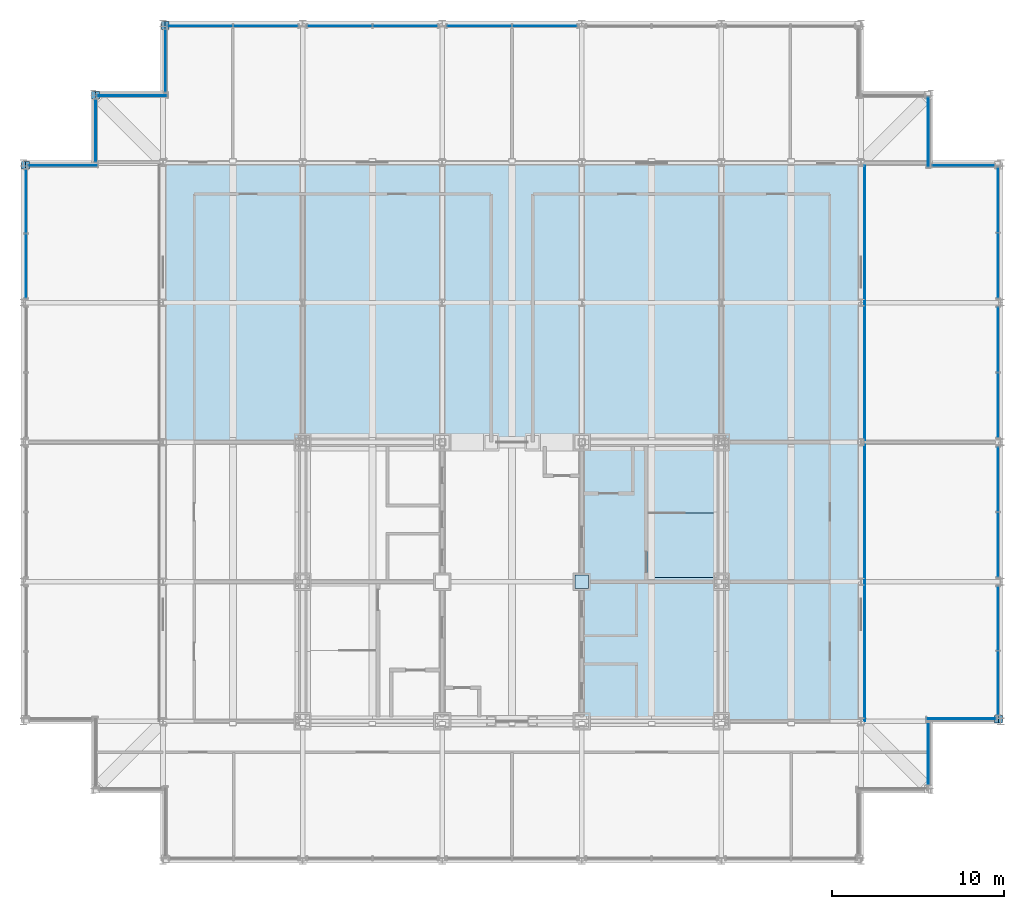
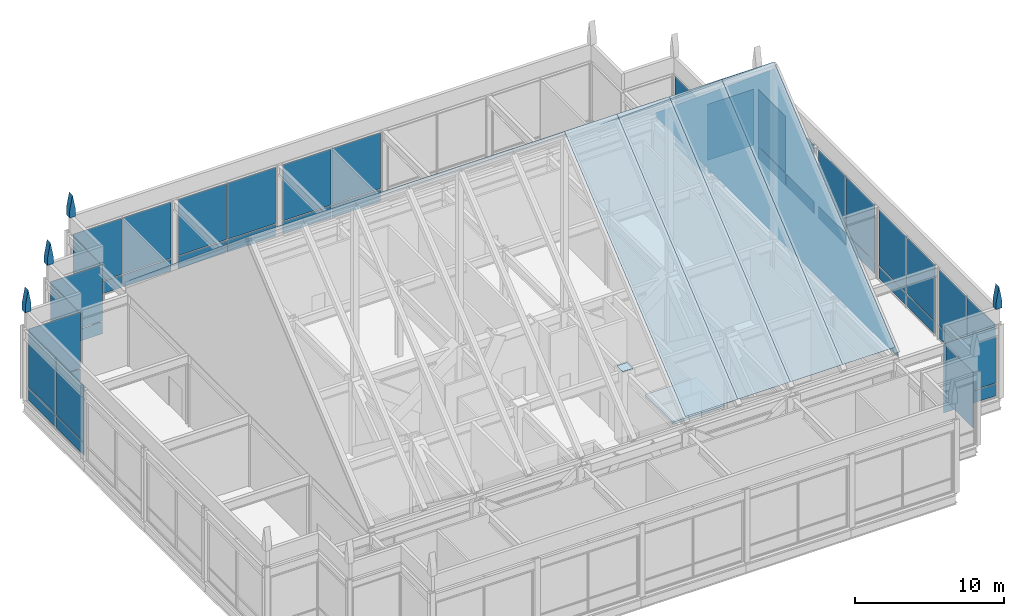
# One storey, part 15 of 22: 67 plates, 1 slab, 16 elements without a shape of their own.
"""IFC4 building model written with IfcOpenShell, lengths in metres."""

from ifc_helpers import new_model, si_unit, direction, frame, origin, origin_2d, place, context, subcontext, project, spatial, polyline, rectangle, outline, extrude, material, layer, layer_set, type_object, element, aggregate, save


model = new_model("IFC4")

# Units and contexts
model_context = context("Model", 3, precision=1e-05, world=origin(), true_north=direction((0.0, 1.0)))
body_context = subcontext(model_context, "Body", "Model", "MODEL_VIEW")
ifc_project = project(units=[si_unit("LENGTHUNIT", "METRE"), si_unit("AREAUNIT", "SQUARE_METRE"), si_unit("VOLUMEUNIT", "CUBIC_METRE"), si_unit("PLANEANGLEUNIT", "RADIAN"), si_unit("MASSUNIT", "GRAM", prefix="KILO")], contexts=[model_context])

# Site, building, storey
site_placement = place(None, origin())
site = spatial("IfcSite", under=ifc_project, at=site_placement, CompositionType="ELEMENT")
building_placement = place(site_placement, origin())
building = spatial("IfcBuilding", under=site, at=building_placement, Name="Kopane Lantern Tower", CompositionType="ELEMENT")
storey_placement = place(building_placement, frame((0.0, 0.0, 303.89990234375)))
storey = spatial("IfcBuildingStorey", under=building, at=storey_placement, Name="L77", CompositionType="ELEMENT", Elevation=303.89990234375)

# Curtain wall, plate
ifc_material_1 = material(Name="Aluminium and clear glass", Category="aluminium")
curtain_wall_type = type_object("IfcCurtainWallType", Name="CURTAIN WALL CW6 LANTERN CROWN", PredefinedType="USERDEFINED", material=ifc_material_1)
curtain_wall_1_placement = place(storey_placement, origin())
curtain_wall_1 = element("IfcCurtainWall", 1, at=curtain_wall_1_placement, inside=storey, type_object=curtain_wall_type, Name="Curtain wall CW6 E L77", ObjectType="CURTAIN WALL", PredefinedType="USERDEFINED")
ifc_material_2 = material(Name="Insulated clear glass unit", Category="glass")
ifc_layer_1 = layer(ifc_material_2, 0.0400390625)
ifc_layer_set_1 = layer_set([ifc_layer_1], Name="CURTAIN PANEL CW6-P 40")
plate_type_1 = type_object("IfcPlateType", Name="CURTAIN PANEL CW6-P 40", PredefinedType="CURTAIN_PANEL", material=ifc_layer_set_1)
plate_1_placement = place(storey_placement, frame((52.5, 22.425048828125, 1.14013671875), z_axis=(0.0, 0.0, 1.0), x_axis=(0.0, 1.0, 0.0)))
plate_1 = element("IfcPlate", 2, at=plate_1_placement, type_object=plate_type_1, Name="CW6 panel 1.2", PredefinedType="CURTAIN_PANEL", context=body_context, shape_type="SweptSolid", body=[
    extrude(rectangle(XDim=3.590087890625, YDim=0.0400390625, at=origin_2d()), origin(), (0.0, 0.0, 1.0), 4.580078125),
])
aggregate(curtain_wall_1, [plate_1])

# Curtain wall, plates
curtain_wall_2_placement = place(storey_placement, origin())
curtain_wall_2 = element("IfcCurtainWall", 3, at=curtain_wall_2_placement, inside=storey, type_object=curtain_wall_type, Name="Curtain wall CW6 S L77", ObjectType="CURTAIN WALL", PredefinedType="USERDEFINED")
plate_2_placement = place(storey_placement, frame((54.4228515625, 24.449951171875, 0.080078125), z_axis=(0.0, 0.0, 1.0), x_axis=(1.0, 0.0, 0.0)))
plate_2 = element("IfcPlate", 4, at=plate_2_placement, type_object=plate_type_1, Name="CW6 panel 1.1", PredefinedType="CURTAIN_PANEL", context=body_context, shape_type="SweptSolid", body=[
    extrude(rectangle(XDim=3.985595703125, YDim=0.0400390625, at=origin_2d()), origin(), (0.0, 0.0, 1.0), 0.97998046875),
])
plate_3_placement = place(storey_placement, frame((54.4228515625, 24.449951171875, 1.14013671875), z_axis=(0.0, 0.0, 1.0), x_axis=(1.0, 0.0, 0.0)))
plate_3 = element("IfcPlate", 5, at=plate_3_placement, type_object=plate_type_1, Name="CW6 panel 1.2", PredefinedType="CURTAIN_PANEL", context=body_context, shape_type="SweptSolid", body=[
    extrude(rectangle(XDim=3.985595703125, YDim=0.0400390625, at=origin_2d()), origin(), (0.0, 0.0, 1.0), 4.580078125),
])
aggregate(curtain_wall_2, [plate_2, plate_3])

curtain_wall_3_placement = place(storey_placement, origin())
curtain_wall_3 = element("IfcCurtainWall", 6, at=curtain_wall_3_placement, inside=storey, type_object=curtain_wall_type, Name="Curtain wall CW6 E L77", ObjectType="CURTAIN WALL", PredefinedType="USERDEFINED")
plate_4_placement = place(storey_placement, frame((56.550048828125, 26.51953125, 0.080078125), z_axis=(0.0, 0.0, 1.0), x_axis=(0.0, 1.0, 0.0)))
plate_4 = element("IfcPlate", 7, at=plate_4_placement, type_object=plate_type_1, Name="CW6 panel 1.1", PredefinedType="CURTAIN_PANEL", context=body_context, shape_type="SweptSolid", body=[
    extrude(rectangle(XDim=3.67919921875, YDim=0.0400390625, at=origin_2d()), origin(), (0.0, 0.0, 1.0), 0.97998046875),
])
plate_5_placement = place(storey_placement, frame((56.550048828125, 26.51953125, 1.14013671875), z_axis=(0.0, 0.0, 1.0), x_axis=(0.0, 1.0, 0.0)))
plate_5 = element("IfcPlate", 8, at=plate_5_placement, type_object=plate_type_1, Name="CW6 panel 1.2", PredefinedType="CURTAIN_PANEL", context=body_context, shape_type="SweptSolid", body=[
    extrude(rectangle(XDim=3.67919921875, YDim=0.0400390625, at=origin_2d()), origin(), (0.0, 0.0, 1.0), 4.580078125),
])
plate_6_placement = place(storey_placement, frame((56.550048828125, 30.278564453125, 0.080078125), z_axis=(0.0, 0.0, 1.0), x_axis=(0.0, 1.0, 0.0)))
plate_6 = element("IfcPlate", 9, at=plate_6_placement, type_object=plate_type_1, Name="CW6 panel 2.1", PredefinedType="CURTAIN_PANEL", context=body_context, shape_type="SweptSolid", body=[
    extrude(rectangle(XDim=3.67919921875, YDim=0.0400390625, at=origin_2d()), origin(), (0.0, 0.0, 1.0), 0.97998046875),
])
plate_7_placement = place(storey_placement, frame((56.550048828125, 30.278564453125, 1.14013671875), z_axis=(0.0, 0.0, 1.0), x_axis=(0.0, 1.0, 0.0)))
plate_7 = element("IfcPlate", 10, at=plate_7_placement, type_object=plate_type_1, Name="CW6 panel 2.2", PredefinedType="CURTAIN_PANEL", context=body_context, shape_type="SweptSolid", body=[
    extrude(rectangle(XDim=3.67919921875, YDim=0.0400390625, at=origin_2d()), origin(), (0.0, 0.0, 1.0), 4.580078125),
])
aggregate(curtain_wall_3, [plate_4, plate_5, plate_6, plate_7])

curtain_wall_4_placement = place(storey_placement, origin())
curtain_wall_4 = element("IfcCurtainWall", 11, at=curtain_wall_4_placement, inside=storey, type_object=curtain_wall_type, Name="Curtain wall CW6 E L77", ObjectType="CURTAIN WALL", PredefinedType="USERDEFINED")
plate_8_placement = place(storey_placement, frame((56.550048828125, 34.5458984375, 0.080078125), z_axis=(0.0, 0.0, 1.0), x_axis=(0.0, 1.0, 0.0)))
plate_8 = element("IfcPlate", 12, at=plate_8_placement, type_object=plate_type_1, Name="CW6 panel 1.1", PredefinedType="CURTAIN_PANEL", context=body_context, shape_type="SweptSolid", body=[
    extrude(rectangle(XDim=3.728271484375, YDim=0.0400390625, at=origin_2d()), origin(), (0.0, 0.0, 1.0), 0.97998046875),
])
plate_9_placement = place(storey_placement, frame((56.550048828125, 34.5458984375, 1.14013671875), z_axis=(0.0, 0.0, 1.0), x_axis=(0.0, 1.0, 0.0)))
plate_9 = element("IfcPlate", 13, at=plate_9_placement, type_object=plate_type_1, Name="CW6 panel 1.2", PredefinedType="CURTAIN_PANEL", context=body_context, shape_type="SweptSolid", body=[
    extrude(rectangle(XDim=3.728271484375, YDim=0.0400390625, at=origin_2d()), origin(), (0.0, 0.0, 1.0), 4.580078125),
])
plate_10_placement = place(storey_placement, frame((56.550048828125, 38.35400390625, 0.080078125), z_axis=(0.0, 0.0, 1.0), x_axis=(0.0, 1.0, 0.0)))
plate_10 = element("IfcPlate", 14, at=plate_10_placement, type_object=plate_type_1, Name="CW6 panel 2.1", PredefinedType="CURTAIN_PANEL", context=body_context, shape_type="SweptSolid", body=[
    extrude(rectangle(XDim=3.728271484375, YDim=0.0400390625, at=origin_2d()), origin(), (0.0, 0.0, 1.0), 0.97998046875),
])
plate_11_placement = place(storey_placement, frame((56.550048828125, 38.35400390625, 1.14013671875), z_axis=(0.0, 0.0, 1.0), x_axis=(0.0, 1.0, 0.0)))
plate_11 = element("IfcPlate", 15, at=plate_11_placement, type_object=plate_type_1, Name="CW6 panel 2.2", PredefinedType="CURTAIN_PANEL", context=body_context, shape_type="SweptSolid", body=[
    extrude(rectangle(XDim=3.728271484375, YDim=0.0400390625, at=origin_2d()), origin(), (0.0, 0.0, 1.0), 4.580078125),
])
aggregate(curtain_wall_4, [plate_8, plate_9, plate_10, plate_11])

curtain_wall_5_placement = place(storey_placement, origin())
curtain_wall_5 = element("IfcCurtainWall", 16, at=curtain_wall_5_placement, inside=storey, type_object=curtain_wall_type, Name="Curtain wall CW6 E L77", ObjectType="CURTAIN WALL", PredefinedType="USERDEFINED")
plate_12_placement = place(storey_placement, frame((56.550048828125, 42.64599609375, 0.080078125), z_axis=(0.0, 0.0, 1.0), x_axis=(0.0, 1.0, 0.0)))
plate_12 = element("IfcPlate", 17, at=plate_12_placement, type_object=plate_type_1, Name="CW6 panel 1.1", PredefinedType="CURTAIN_PANEL", context=body_context, shape_type="SweptSolid", body=[
    extrude(rectangle(XDim=3.728271484375, YDim=0.0400390625, at=origin_2d()), origin(), (0.0, 0.0, 1.0), 0.97998046875),
])
plate_13_placement = place(storey_placement, frame((56.550048828125, 42.64599609375, 1.14013671875), z_axis=(0.0, 0.0, 1.0), x_axis=(0.0, 1.0, 0.0)))
plate_13 = element("IfcPlate", 18, at=plate_13_placement, type_object=plate_type_1, Name="CW6 panel 1.2", PredefinedType="CURTAIN_PANEL", context=body_context, shape_type="SweptSolid", body=[
    extrude(rectangle(XDim=3.728271484375, YDim=0.0400390625, at=origin_2d()), origin(), (0.0, 0.0, 1.0), 4.580078125),
])
plate_14_placement = place(storey_placement, frame((56.550048828125, 46.4541015625, 0.080078125), z_axis=(0.0, 0.0, 1.0), x_axis=(0.0, 1.0, 0.0)))
plate_14 = element("IfcPlate", 19, at=plate_14_placement, type_object=plate_type_1, Name="CW6 panel 2.1", PredefinedType="CURTAIN_PANEL", context=body_context, shape_type="SweptSolid", body=[
    extrude(rectangle(XDim=3.728271484375, YDim=0.0400390625, at=origin_2d()), origin(), (0.0, 0.0, 1.0), 0.97998046875),
])
plate_15_placement = place(storey_placement, frame((56.550048828125, 46.4541015625, 1.14013671875), z_axis=(0.0, 0.0, 1.0), x_axis=(0.0, 1.0, 0.0)))
plate_15 = element("IfcPlate", 20, at=plate_15_placement, type_object=plate_type_1, Name="CW6 panel 2.2", PredefinedType="CURTAIN_PANEL", context=body_context, shape_type="SweptSolid", body=[
    extrude(rectangle(XDim=3.728271484375, YDim=0.0400390625, at=origin_2d()), origin(), (0.0, 0.0, 1.0), 4.580078125),
])
aggregate(curtain_wall_5, [plate_12, plate_13, plate_14, plate_15])

curtain_wall_6_placement = place(storey_placement, origin())
curtain_wall_6 = element("IfcCurtainWall", 21, at=curtain_wall_6_placement, inside=storey, type_object=curtain_wall_type, Name="Curtain wall CW6 E L77", ObjectType="CURTAIN WALL", PredefinedType="USERDEFINED")
plate_16_placement = place(storey_placement, frame((56.550048828125, 50.745849609375, 0.080078125), z_axis=(0.0, 0.0, 1.0), x_axis=(0.0, 1.0, 0.0)))
plate_16 = element("IfcPlate", 22, at=plate_16_placement, type_object=plate_type_1, Name="CW6 panel 1.1", PredefinedType="CURTAIN_PANEL", context=body_context, shape_type="SweptSolid", body=[
    extrude(rectangle(XDim=3.728271484375, YDim=0.0400390625, at=origin_2d()), origin(), (0.0, 0.0, 1.0), 0.97998046875),
])
plate_17_placement = place(storey_placement, frame((56.550048828125, 50.745849609375, 1.14013671875), z_axis=(0.0, 0.0, 1.0), x_axis=(0.0, 1.0, 0.0)))
plate_17 = element("IfcPlate", 23, at=plate_17_placement, type_object=plate_type_1, Name="CW6 panel 1.2", PredefinedType="CURTAIN_PANEL", context=body_context, shape_type="SweptSolid", body=[
    extrude(rectangle(XDim=3.728271484375, YDim=0.0400390625, at=origin_2d()), origin(), (0.0, 0.0, 1.0), 4.580078125),
])
plate_18_placement = place(storey_placement, frame((56.550048828125, 54.55419921875, 0.080078125), z_axis=(0.0, 0.0, 1.0), x_axis=(0.0, 1.0, 0.0)))
plate_18 = element("IfcPlate", 24, at=plate_18_placement, type_object=plate_type_1, Name="CW6 panel 2.1", PredefinedType="CURTAIN_PANEL", context=body_context, shape_type="SweptSolid", body=[
    extrude(rectangle(XDim=3.728271484375, YDim=0.0400390625, at=origin_2d()), origin(), (0.0, 0.0, 1.0), 0.97998046875),
])
plate_19_placement = place(storey_placement, frame((56.550048828125, 54.55419921875, 1.14013671875), z_axis=(0.0, 0.0, 1.0), x_axis=(0.0, 1.0, 0.0)))
plate_19 = element("IfcPlate", 25, at=plate_19_placement, type_object=plate_type_1, Name="CW6 panel 2.2", PredefinedType="CURTAIN_PANEL", context=body_context, shape_type="SweptSolid", body=[
    extrude(rectangle(XDim=3.728271484375, YDim=0.0400390625, at=origin_2d()), origin(), (0.0, 0.0, 1.0), 4.580078125),
])
aggregate(curtain_wall_6, [plate_16, plate_17, plate_18, plate_19])

curtain_wall_7_placement = place(storey_placement, origin())
curtain_wall_7 = element("IfcCurtainWall", 26, at=curtain_wall_7_placement, inside=storey, type_object=curtain_wall_type, Name="Curtain wall CW6 N L77", ObjectType="CURTAIN WALL", PredefinedType="USERDEFINED")
plate_20_placement = place(storey_placement, frame((54.52490234375, 56.550048828125, 0.080078125), z_axis=(0.0, 0.0, 1.0), x_axis=(-1.0, 0.0, 0.0)))
plate_20 = element("IfcPlate", 27, at=plate_20_placement, type_object=plate_type_1, Name="CW6 panel 1.1", PredefinedType="CURTAIN_PANEL", context=body_context, shape_type="SweptSolid", body=[
    extrude(rectangle(XDim=3.590087890625, YDim=0.0400390625, at=origin_2d()), origin(), (0.0, 0.0, 1.0), 0.97998046875),
])
plate_21_placement = place(storey_placement, frame((54.52490234375, 56.550048828125, 1.14013671875), z_axis=(0.0, 0.0, 1.0), x_axis=(-1.0, 0.0, 0.0)))
plate_21 = element("IfcPlate", 28, at=plate_21_placement, type_object=plate_type_1, Name="CW6 panel 1.2", PredefinedType="CURTAIN_PANEL", context=body_context, shape_type="SweptSolid", body=[
    extrude(rectangle(XDim=3.590087890625, YDim=0.0400390625, at=origin_2d()), origin(), (0.0, 0.0, 1.0), 4.580078125),
])
aggregate(curtain_wall_7, [plate_20, plate_21])

curtain_wall_8_placement = place(storey_placement, origin())
curtain_wall_8 = element("IfcCurtainWall", 29, at=curtain_wall_8_placement, inside=storey, type_object=curtain_wall_type, Name="Curtain wall CW6 E L77", ObjectType="CURTAIN WALL", PredefinedType="USERDEFINED")
plate_22_placement = place(storey_placement, frame((52.5, 58.493896484375, 0.080078125), z_axis=(0.0, 0.0, 1.0), x_axis=(0.0, 1.0, 0.0)))
plate_22 = element("IfcPlate", 30, at=plate_22_placement, type_object=plate_type_1, Name="CW6 panel 1.1", PredefinedType="CURTAIN_PANEL", context=body_context, shape_type="SweptSolid", body=[
    extrude(rectangle(XDim=4.027587890625, YDim=0.0400390625, at=origin_2d()), origin(), (0.0, 0.0, 1.0), 0.97998046875),
])
plate_23_placement = place(storey_placement, frame((52.5, 58.493896484375, 1.14013671875), z_axis=(0.0, 0.0, 1.0), x_axis=(0.0, 1.0, 0.0)))
plate_23 = element("IfcPlate", 31, at=plate_23_placement, type_object=plate_type_1, Name="CW6 panel 1.2", PredefinedType="CURTAIN_PANEL", context=body_context, shape_type="SweptSolid", body=[
    extrude(rectangle(XDim=4.027587890625, YDim=0.0400390625, at=origin_2d()), origin(), (0.0, 0.0, 1.0), 4.580078125),
])
aggregate(curtain_wall_8, [plate_22, plate_23])

curtain_wall_9_placement = place(storey_placement, origin())
curtain_wall_9 = element("IfcCurtainWall", 32, at=curtain_wall_9_placement, inside=storey, type_object=curtain_wall_type, Name="Curtain wall CW6 N L77", ObjectType="CURTAIN WALL", PredefinedType="USERDEFINED")
plate_24_placement = place(storey_placement, frame((30.252685546875, 64.64990234375, 0.080078125), z_axis=(0.0, 0.0, 1.0), x_axis=(-1.0, 0.0, 0.0)))
plate_24 = element("IfcPlate", 33, at=plate_24_placement, type_object=plate_type_1, Name="CW6 panel 1.1", PredefinedType="CURTAIN_PANEL", context=body_context, shape_type="SweptSolid", body=[
    extrude(rectangle(XDim=3.7255859375, YDim=0.0400390625, at=origin_2d()), origin(), (0.0, 0.0, 1.0), 0.97998046875),
])
plate_25_placement = place(storey_placement, frame((30.252685546875, 64.64990234375, 1.14013671875), z_axis=(0.0, 0.0, 1.0), x_axis=(-1.0, 0.0, 0.0)))
plate_25 = element("IfcPlate", 34, at=plate_25_placement, type_object=plate_type_1, Name="CW6 panel 1.2", PredefinedType="CURTAIN_PANEL", context=body_context, shape_type="SweptSolid", body=[
    extrude(rectangle(XDim=3.7255859375, YDim=0.0400390625, at=origin_2d()), origin(), (0.0, 0.0, 1.0), 4.580078125),
])
plate_26_placement = place(storey_placement, frame((26.447265625, 64.64990234375, 0.080078125), z_axis=(0.0, 0.0, 1.0), x_axis=(-1.0, 0.0, 0.0)))
plate_26 = element("IfcPlate", 35, at=plate_26_placement, type_object=plate_type_1, Name="CW6 panel 2.1", PredefinedType="CURTAIN_PANEL", context=body_context, shape_type="SweptSolid", body=[
    extrude(rectangle(XDim=3.7255859375, YDim=0.0400390625, at=origin_2d()), origin(), (0.0, 0.0, 1.0), 0.97998046875),
])
plate_27_placement = place(storey_placement, frame((26.447265625, 64.64990234375, 1.14013671875), z_axis=(0.0, 0.0, 1.0), x_axis=(-1.0, 0.0, 0.0)))
plate_27 = element("IfcPlate", 36, at=plate_27_placement, type_object=plate_type_1, Name="CW6 panel 2.2", PredefinedType="CURTAIN_PANEL", context=body_context, shape_type="SweptSolid", body=[
    extrude(rectangle(XDim=3.7255859375, YDim=0.0400390625, at=origin_2d()), origin(), (0.0, 0.0, 1.0), 4.580078125),
])
aggregate(curtain_wall_9, [plate_24, plate_25, plate_26, plate_27])

curtain_wall_10_placement = place(storey_placement, origin())
curtain_wall_10 = element("IfcCurtainWall", 37, at=curtain_wall_10_placement, inside=storey, type_object=curtain_wall_type, Name="Curtain wall CW6 N L77", ObjectType="CURTAIN WALL", PredefinedType="USERDEFINED")
plate_28_placement = place(storey_placement, frame((22.15283203125, 64.64990234375, 0.080078125), z_axis=(0.0, 0.0, 1.0), x_axis=(-1.0, 0.0, 0.0)))
plate_28 = element("IfcPlate", 38, at=plate_28_placement, type_object=plate_type_1, Name="CW6 panel 1.1", PredefinedType="CURTAIN_PANEL", context=body_context, shape_type="SweptSolid", body=[
    extrude(rectangle(XDim=3.7255859375, YDim=0.0400390625, at=origin_2d()), origin(), (0.0, 0.0, 1.0), 0.97998046875),
])
plate_29_placement = place(storey_placement, frame((22.15283203125, 64.64990234375, 1.14013671875), z_axis=(0.0, 0.0, 1.0), x_axis=(-1.0, 0.0, 0.0)))
plate_29 = element("IfcPlate", 39, at=plate_29_placement, type_object=plate_type_1, Name="CW6 panel 1.2", PredefinedType="CURTAIN_PANEL", context=body_context, shape_type="SweptSolid", body=[
    extrude(rectangle(XDim=3.7255859375, YDim=0.0400390625, at=origin_2d()), origin(), (0.0, 0.0, 1.0), 4.580078125),
])
plate_30_placement = place(storey_placement, frame((18.34716796875, 64.64990234375, 0.080078125), z_axis=(0.0, 0.0, 1.0), x_axis=(-1.0, 0.0, 0.0)))
plate_30 = element("IfcPlate", 40, at=plate_30_placement, type_object=plate_type_1, Name="CW6 panel 2.1", PredefinedType="CURTAIN_PANEL", context=body_context, shape_type="SweptSolid", body=[
    extrude(rectangle(XDim=3.7255859375, YDim=0.0400390625, at=origin_2d()), origin(), (0.0, 0.0, 1.0), 0.97998046875),
])
plate_31_placement = place(storey_placement, frame((18.34716796875, 64.64990234375, 1.14013671875), z_axis=(0.0, 0.0, 1.0), x_axis=(-1.0, 0.0, 0.0)))
plate_31 = element("IfcPlate", 41, at=plate_31_placement, type_object=plate_type_1, Name="CW6 panel 2.2", PredefinedType="CURTAIN_PANEL", context=body_context, shape_type="SweptSolid", body=[
    extrude(rectangle(XDim=3.7255859375, YDim=0.0400390625, at=origin_2d()), origin(), (0.0, 0.0, 1.0), 4.580078125),
])
aggregate(curtain_wall_10, [plate_28, plate_29, plate_30, plate_31])

curtain_wall_11_placement = place(storey_placement, origin())
curtain_wall_11 = element("IfcCurtainWall", 42, at=curtain_wall_11_placement, inside=storey, type_object=curtain_wall_type, Name="Curtain wall CW6 N L77", ObjectType="CURTAIN WALL", PredefinedType="USERDEFINED")
plate_32_placement = place(storey_placement, frame((14.052734375, 64.64990234375, 0.080078125), z_axis=(0.0, 0.0, 1.0), x_axis=(-1.0, 0.0, 0.0)))
plate_32 = element("IfcPlate", 43, at=plate_32_placement, type_object=plate_type_1, Name="CW6 panel 1.1", PredefinedType="CURTAIN_PANEL", context=body_context, shape_type="SweptSolid", body=[
    extrude(rectangle(XDim=3.7255859375, YDim=0.0400390625, at=origin_2d()), origin(), (0.0, 0.0, 1.0), 0.97998046875),
])
plate_33_placement = place(storey_placement, frame((14.052734375, 64.64990234375, 1.14013671875), z_axis=(0.0, 0.0, 1.0), x_axis=(-1.0, 0.0, 0.0)))
plate_33 = element("IfcPlate", 44, at=plate_33_placement, type_object=plate_type_1, Name="CW6 panel 1.2", PredefinedType="CURTAIN_PANEL", context=body_context, shape_type="SweptSolid", body=[
    extrude(rectangle(XDim=3.7255859375, YDim=0.0400390625, at=origin_2d()), origin(), (0.0, 0.0, 1.0), 4.580078125),
])
plate_34_placement = place(storey_placement, frame((10.247314453125, 64.64990234375, 0.080078125), z_axis=(0.0, 0.0, 1.0), x_axis=(-1.0, 0.0, 0.0)))
plate_34 = element("IfcPlate", 45, at=plate_34_placement, type_object=plate_type_1, Name="CW6 panel 2.1", PredefinedType="CURTAIN_PANEL", context=body_context, shape_type="SweptSolid", body=[
    extrude(rectangle(XDim=3.7255859375, YDim=0.0400390625, at=origin_2d()), origin(), (0.0, 0.0, 1.0), 0.97998046875),
])
plate_35_placement = place(storey_placement, frame((10.247314453125, 64.64990234375, 1.14013671875), z_axis=(0.0, 0.0, 1.0), x_axis=(-1.0, 0.0, 0.0)))
plate_35 = element("IfcPlate", 46, at=plate_35_placement, type_object=plate_type_1, Name="CW6 panel 2.2", PredefinedType="CURTAIN_PANEL", context=body_context, shape_type="SweptSolid", body=[
    extrude(rectangle(XDim=3.7255859375, YDim=0.0400390625, at=origin_2d()), origin(), (0.0, 0.0, 1.0), 4.580078125),
])
aggregate(curtain_wall_11, [plate_32, plate_33, plate_34, plate_35])

curtain_wall_12_placement = place(storey_placement, origin())
curtain_wall_12 = element("IfcCurtainWall", 47, at=curtain_wall_12_placement, inside=storey, type_object=curtain_wall_type, Name="Curtain wall CW6 W L77", ObjectType="CURTAIN WALL", PredefinedType="USERDEFINED")
plate_36_placement = place(storey_placement, frame((8.25, 62.625, 0.080078125), z_axis=(0.0, 0.0, 1.0), x_axis=(0.0, -1.0, 0.0)))
plate_36 = element("IfcPlate", 48, at=plate_36_placement, type_object=plate_type_1, Name="CW6 panel 1.1", PredefinedType="CURTAIN_PANEL", context=body_context, shape_type="SweptSolid", body=[
    extrude(rectangle(XDim=3.590087890625, YDim=0.0400390625, at=origin_2d()), origin(), (0.0, 0.0, 1.0), 0.97998046875),
])
plate_37_placement = place(storey_placement, frame((8.25, 62.625, 1.14013671875), z_axis=(0.0, 0.0, 1.0), x_axis=(0.0, -1.0, 0.0)))
plate_37 = element("IfcPlate", 49, at=plate_37_placement, type_object=plate_type_1, Name="CW6 panel 1.2", PredefinedType="CURTAIN_PANEL", context=body_context, shape_type="SweptSolid", body=[
    extrude(rectangle(XDim=3.590087890625, YDim=0.0400390625, at=origin_2d()), origin(), (0.0, 0.0, 1.0), 4.580078125),
])
aggregate(curtain_wall_12, [plate_36, plate_37])

curtain_wall_13_placement = place(storey_placement, origin())
curtain_wall_13 = element("IfcCurtainWall", 50, at=curtain_wall_13_placement, inside=storey, type_object=curtain_wall_type, Name="Curtain wall CW6 N L77", ObjectType="CURTAIN WALL", PredefinedType="USERDEFINED")
plate_38_placement = place(storey_placement, frame((6.304443359375, 60.60009765625, 0.080078125), z_axis=(0.0, 0.0, 1.0), x_axis=(-1.0, 0.0, 0.0)))
plate_38 = element("IfcPlate", 51, at=plate_38_placement, type_object=plate_type_1, Name="CW6 panel 1.1", PredefinedType="CURTAIN_PANEL", context=body_context, shape_type="SweptSolid", body=[
    extrude(rectangle(XDim=4.03125, YDim=0.0400390625, at=origin_2d()), origin(), (0.0, 0.0, 1.0), 0.97998046875),
])
plate_39_placement = place(storey_placement, frame((6.304443359375, 60.60009765625, 1.14013671875), z_axis=(0.0, 0.0, 1.0), x_axis=(-1.0, 0.0, 0.0)))
plate_39 = element("IfcPlate", 52, at=plate_39_placement, type_object=plate_type_1, Name="CW6 panel 1.2", PredefinedType="CURTAIN_PANEL", context=body_context, shape_type="SweptSolid", body=[
    extrude(rectangle(XDim=4.03125, YDim=0.0400390625, at=origin_2d()), origin(), (0.0, 0.0, 1.0), 4.580078125),
])
aggregate(curtain_wall_13, [plate_38, plate_39])

curtain_wall_14_placement = place(storey_placement, origin())
curtain_wall_14 = element("IfcCurtainWall", 53, at=curtain_wall_14_placement, inside=storey, type_object=curtain_wall_type, Name="Curtain wall CW6 W L77", ObjectType="CURTAIN WALL", PredefinedType="USERDEFINED")
plate_40_placement = place(storey_placement, frame((4.199951171875, 58.574951171875, 0.080078125), z_axis=(0.0, 0.0, 1.0), x_axis=(0.0, -1.0, 0.0)))
plate_40 = element("IfcPlate", 54, at=plate_40_placement, type_object=plate_type_1, Name="CW6 panel 1.1", PredefinedType="CURTAIN_PANEL", context=body_context, shape_type="SweptSolid", body=[
    extrude(rectangle(XDim=3.590087890625, YDim=0.0400390625, at=origin_2d()), origin(), (0.0, 0.0, 1.0), 0.97998046875),
])
plate_41_placement = place(storey_placement, frame((4.199951171875, 58.574951171875, 1.14013671875), z_axis=(0.0, 0.0, 1.0), x_axis=(0.0, -1.0, 0.0)))
plate_41 = element("IfcPlate", 55, at=plate_41_placement, type_object=plate_type_1, Name="CW6 panel 1.2", PredefinedType="CURTAIN_PANEL", context=body_context, shape_type="SweptSolid", body=[
    extrude(rectangle(XDim=3.590087890625, YDim=0.0400390625, at=origin_2d()), origin(), (0.0, 0.0, 1.0), 4.580078125),
])
aggregate(curtain_wall_14, [plate_40, plate_41])

curtain_wall_15_placement = place(storey_placement, origin())
curtain_wall_15 = element("IfcCurtainWall", 56, at=curtain_wall_15_placement, inside=storey, type_object=curtain_wall_type, Name="Curtain wall CW6 N L77", ObjectType="CURTAIN WALL", PredefinedType="USERDEFINED")
plate_42_placement = place(storey_placement, frame((2.27734375, 56.550048828125, 0.080078125), z_axis=(0.0, 0.0, 1.0), x_axis=(-1.0, 0.0, 0.0)))
plate_42 = element("IfcPlate", 57, at=plate_42_placement, type_object=plate_type_1, Name="CW6 panel 1.1", PredefinedType="CURTAIN_PANEL", context=body_context, shape_type="SweptSolid", body=[
    extrude(rectangle(XDim=3.985595703125, YDim=0.0400390625, at=origin_2d()), origin(), (0.0, 0.0, 1.0), 0.97998046875),
])
plate_43_placement = place(storey_placement, frame((2.27734375, 56.550048828125, 1.14013671875), z_axis=(0.0, 0.0, 1.0), x_axis=(-1.0, 0.0, 0.0)))
plate_43 = element("IfcPlate", 58, at=plate_43_placement, type_object=plate_type_1, Name="CW6 panel 1.2", PredefinedType="CURTAIN_PANEL", context=body_context, shape_type="SweptSolid", body=[
    extrude(rectangle(XDim=3.985595703125, YDim=0.0400390625, at=origin_2d()), origin(), (0.0, 0.0, 1.0), 4.580078125),
])
aggregate(curtain_wall_15, [plate_42, plate_43])

curtain_wall_16_placement = place(storey_placement, origin())
curtain_wall_16 = element("IfcCurtainWall", 59, at=curtain_wall_16_placement, inside=storey, type_object=curtain_wall_type, Name="Curtain wall CW6 W L77", ObjectType="CURTAIN WALL", PredefinedType="USERDEFINED")
plate_44_placement = place(storey_placement, frame((0.14990234375, 54.48046875, 0.080078125), z_axis=(0.0, 0.0, 1.0), x_axis=(0.0, -1.0, 0.0)))
plate_44 = element("IfcPlate", 60, at=plate_44_placement, type_object=plate_type_1, Name="CW6 panel 1.1", PredefinedType="CURTAIN_PANEL", context=body_context, shape_type="SweptSolid", body=[
    extrude(rectangle(XDim=3.67919921875, YDim=0.0400390625, at=origin_2d()), origin(), (0.0, 0.0, 1.0), 0.97998046875),
])
plate_45_placement = place(storey_placement, frame((0.14990234375, 54.48046875, 1.14013671875), z_axis=(0.0, 0.0, 1.0), x_axis=(0.0, -1.0, 0.0)))
plate_45 = element("IfcPlate", 61, at=plate_45_placement, type_object=plate_type_1, Name="CW6 panel 1.2", PredefinedType="CURTAIN_PANEL", context=body_context, shape_type="SweptSolid", body=[
    extrude(rectangle(XDim=3.67919921875, YDim=0.0400390625, at=origin_2d()), origin(), (0.0, 0.0, 1.0), 4.580078125),
])
plate_46_placement = place(storey_placement, frame((0.14990234375, 50.721435546875, 0.080078125), z_axis=(0.0, 0.0, 1.0), x_axis=(0.0, -1.0, 0.0)))
plate_46 = element("IfcPlate", 62, at=plate_46_placement, type_object=plate_type_1, Name="CW6 panel 2.1", PredefinedType="CURTAIN_PANEL", context=body_context, shape_type="SweptSolid", body=[
    extrude(rectangle(XDim=3.67919921875, YDim=0.0400390625, at=origin_2d()), origin(), (0.0, 0.0, 1.0), 0.97998046875),
])
plate_47_placement = place(storey_placement, frame((0.14990234375, 50.721435546875, 1.14013671875), z_axis=(0.0, 0.0, 1.0), x_axis=(0.0, -1.0, 0.0)))
plate_47 = element("IfcPlate", 63, at=plate_47_placement, type_object=plate_type_1, Name="CW6 panel 2.2", PredefinedType="CURTAIN_PANEL", context=body_context, shape_type="SweptSolid", body=[
    extrude(rectangle(XDim=3.67919921875, YDim=0.0400390625, at=origin_2d()), origin(), (0.0, 0.0, 1.0), 4.580078125),
])
aggregate(curtain_wall_16, [plate_44, plate_45, plate_46, plate_47])

# Plates
ifc_material_3 = material(Name="Laminated clear glass", Category="glass")
ifc_layer_2 = layer(ifc_material_3, 0.0400390625)
ifc_layer_set_2 = layer_set([ifc_layer_2], Name="LANTERN GLASS PANEL LG1 40")
plate_type_2 = type_object("IfcPlateType", Name="LANTERN GLASS PANEL LG1 40", PredefinedType="SHEET", material=ifc_layer_set_2)
plate_48_placement = place(storey_placement, frame((8.10009765625, 40.50390625, 20.369384765625), z_axis=(0.0, 0.640180982527, 0.768224127199), x_axis=(1.0, 0.0, 0.0)))
element("IfcPlate", 64, at=plate_48_placement, inside=storey, type_object=plate_type_2, Name="Lantern glass N", PredefinedType="SHEET", context=body_context, shape_type="SweptSolid", body=[
    extrude(outline(polyline([(0.0, 0.0), (4.0498046875, 0.0), (4.0498046875, 21.082447619706144), (0.0, 21.082447619706144), (0.0, 0.0)])), origin(), (0.0, 0.0, -1.0), 0.0400390625),
])
for number, where, z_axis, x_axis, name in (
    (65, (12.14990234375, 40.50390625, 20.369384765625), (0.0, 0.640180982527, 0.768224127199), (1.0, 0.0, 0.0), "Lantern glass N"),
    (66, (16.199951171875, 40.50390625, 20.369384765625), (0.0, 0.640180982527, 0.768224127199), (1.0, 0.0, 0.0), "Lantern glass N"),
    (67, (20.25, 40.50390625, 20.369384765625), (0.0, 0.640180982527, 0.768224127199), (1.0, 0.0, 0.0), "Lantern glass N"),
    (68, (24.300048828125, 40.50390625, 20.369384765625), (0.0, 0.640180982527, 0.768224127199), (1.0, 0.0, 0.0), "Lantern glass N"),
):
    element("IfcPlate", number, at=place(storey_placement, frame(where, z_axis=z_axis, x_axis=x_axis)), inside=storey, type_object=plate_type_2, Name=name, PredefinedType="SHEET", context=body_context, shape_type="SweptSolid", body=[
        extrude(outline(polyline([(0.0, 0.0), (4.050048828125, 0.0), (4.050048828125, 21.082447619706144), (0.0, 21.082447619706144), (0.0, 0.0)])), origin(), (0.0, 0.0, -1.0), 0.0400390625),
    ])
plate_49_placement = place(storey_placement, frame((28.35009765625, 40.50390625, 20.369384765625), z_axis=(0.0, 0.640180982527, 0.768224127199), x_axis=(1.0, 0.0, 0.0)))
element("IfcPlate", 69, at=plate_49_placement, inside=storey, type_object=plate_type_2, Name="Lantern glass N", PredefinedType="SHEET", context=body_context, shape_type="SweptSolid", body=[
    extrude(outline(polyline([(0.0, 0.0), (4.0498046875, 0.0), (4.0498046875, 21.082447619706144), (0.0, 21.082447619706144), (0.0, 0.0)])), origin(), (0.0, 0.0, -1.0), 0.0400390625),
])
for number, where, z_axis, x_axis, name in (
    (70, (32.39990234375, 24.300048828125, 6.872802734375), (0.0, -0.640180982527, 0.768224127199), (1.0, 0.0, 0.0), "Lantern glass S"),
    (71, (32.39990234375, 40.50390625, 20.369384765625), (0.0, 0.640180982527, 0.768224127199), (1.0, 0.0, 0.0), "Lantern glass N"),
    (72, (36.449951171875, 24.300048828125, 6.872802734375), (0.0, -0.640180982527, 0.768224127199), (1.0, 0.0, 0.0), "Lantern glass S"),
    (73, (36.449951171875, 40.50390625, 20.369384765625), (0.0, 0.640180982527, 0.768224127199), (1.0, 0.0, 0.0), "Lantern glass N"),
    (74, (40.5, 24.300048828125, 6.872802734375), (0.0, -0.640180982527, 0.768224127199), (1.0, 0.0, 0.0), "Lantern glass S"),
    (75, (40.5, 40.50390625, 20.369384765625), (0.0, 0.640180982527, 0.768224127199), (1.0, 0.0, 0.0), "Lantern glass N"),
    (76, (44.550048828125, 24.300048828125, 6.872802734375), (0.0, -0.640180982527, 0.768224127199), (1.0, 0.0, 0.0), "Lantern glass S"),
    (77, (44.550048828125, 40.50390625, 20.369384765625), (0.0, 0.640180982527, 0.768224127199), (1.0, 0.0, 0.0), "Lantern glass N"),
):
    element("IfcPlate", number, at=place(storey_placement, frame(where, z_axis=z_axis, x_axis=x_axis)), inside=storey, type_object=plate_type_2, Name=name, PredefinedType="SHEET", context=body_context, shape_type="SweptSolid", body=[
        extrude(outline(polyline([(0.0, 0.0), (4.050048828125, 0.0), (4.050048828125, 21.082447619706144), (0.0, 21.082447619706144), (0.0, 0.0)])), origin(), (0.0, 0.0, -1.0), 0.0400390625),
    ])
plate_50_placement = place(storey_placement, frame((48.820068359375, 24.300048828125, 6.0), z_axis=(0.0, 0.0, 1.0), x_axis=(0.0, 1.0, 0.0)))
element("IfcPlate", 78, at=plate_50_placement, inside=storey, type_object=plate_type_2, Name="Lantern gable E", PredefinedType="SHEET", context=body_context, shape_type="SweptSolid", body=[
    extrude(outline(polyline([(0.0, 0.0), (32.39990234375, 0.0), (32.39990234375, 0.300048828125), (16.199951171875, 13.800048828125), (0.0, 0.300048828125), (0.0, 0.0)])), frame((0.0, 0.02001953125, 0.0), z_axis=(0.0, -1.0, 0.0), x_axis=(1.0, 0.0, 0.0)), (0.0, 0.0, 1.0), 0.0400390625),
])
ifc_material_4 = material(Name="Terracotta rainscreen on light steel framing", Category="masonry")
ifc_layer_3 = layer(ifc_material_4, 0.449951171875)
ifc_layer_set_3 = layer_set([ifc_layer_3], Name="PINNACLE TP1 450x450x1800 TERRACOTTA")
plate_type_3 = type_object("IfcPlateType", Name="PINNACLE TP1 450x450x1800 TERRACOTTA", PredefinedType="USERDEFINED", material=ifc_layer_set_3)
for number, where, z_axis, x_axis, name in (
    (79, (56.35009765625, 24.425048828125, 7.28515625), (0.0, 0.0, 1.0), (1.0, 0.0, 0.0), "Pinnacle L77"),
    (80, (8.449951171875, 64.675048828125, 7.28515625), (0.0, 0.0, 1.0), (-1.0, 0.0, 0.0), "Pinnacle L77"),
    (81, (4.39990234375, 60.625, 7.28515625), (0.0, 0.0, 1.0), (-1.0, 0.0, 0.0), "Pinnacle L77"),
):
    element("IfcPlate", number, at=place(storey_placement, frame(where, z_axis=z_axis, x_axis=x_axis)), inside=storey, type_object=plate_type_3, Name=name, ObjectType="PINNACLE", PredefinedType="USERDEFINED", context=body_context, shape_type="SweptSolid", body=[
        extrude(outline(polyline([(0.0, 0.0), (0.449951171875, 0.0), (0.449951171875, 0.599853515625), (0.22509765625, 1.800048828125), (0.0, 0.599853515625), (0.0, 0.0)])), frame((0.0, 0.22509765625, 0.0), z_axis=(0.0, -1.0, 0.0), x_axis=(1.0, 0.0, 0.0)), (0.0, 0.0, 1.0), 0.449951171875),
    ])
plate_51_placement = place(storey_placement, frame((0.35009765625, 56.574951171875, 7.28515625), z_axis=(0.0, 0.0, 1.0), x_axis=(-1.0, 0.0, 0.0)))
element("IfcPlate", 82, at=plate_51_placement, inside=storey, type_object=plate_type_3, Name="Pinnacle L77", ObjectType="PINNACLE", PredefinedType="USERDEFINED", context=body_context, shape_type="SweptSolid", body=[
    extrude(outline(polyline([(0.0, 0.0), (0.4501953125, 0.0), (0.449951171875, 0.599853515625), (0.22509765625, 1.800048828125), (0.0, 0.599853515625), (0.0, 0.0)])), frame((0.0, 0.22509765625, 0.0), z_axis=(0.0, -1.0, 0.0), x_axis=(1.0, 0.0, 0.0)), (0.0, 0.0, 1.0), 0.449951171875),
])

# Slab
ifc_material_5 = material(Name="Concrete C40/50", Category="concrete")
ifc_layer_4 = layer(ifc_material_5, 0.199951171875)
ifc_layer_set_4 = layer_set([ifc_layer_4], Name="STAIR LANDING 200")
slab_type = type_object("IfcSlabType", Name="STAIR LANDING 200", PredefinedType="LANDING", material=ifc_layer_set_4)
slab_placement = place(storey_placement, frame((0.0, 0.0, -0.199951171875)))
element("IfcSlab", 83, at=slab_placement, inside=storey, type_object=slab_type, Name="ST2 landing L77", PredefinedType="LANDING", context=body_context, shape_type="SweptSolid", body=[
    extrude(outline(polyline([(40.25, 32.64990234375), (40.25, 36.389892578125), (36.25, 36.389892578125), (36.25, 32.64990234375), (40.25, 32.64990234375)])), origin(), (0.0, 0.0, 1.0), 0.199951171875),
])

# Plate
ifc_material_6 = material(Name="Steel S355JR", Category="steel")
ifc_layer_5 = layer(ifc_material_6, 0.02490234375)
ifc_layer_set_5 = layer_set([ifc_layer_5], Name="STEEL END CAP PLATE PL25")
plate_type_4 = type_object("IfcPlateType", Name="STEEL END CAP PLATE PL25", PredefinedType="USERDEFINED", material=ifc_layer_set_5)
plate_52_placement = place(storey_placement, frame((32.39990234375, 32.39990234375, 5.988037109375), z_axis=(0.0, 0.0, 1.0), x_axis=(1.0, 0.0, 0.0)))
element("IfcPlate", 84, at=plate_52_placement, inside=storey, type_object=plate_type_4, Name="Column head cap plate 6/F L77", ObjectType="PLATE", PredefinedType="USERDEFINED", context=body_context, shape_type="SweptSolid", body=[
    extrude(rectangle(XDim=0.801025390625, YDim=0.801025390625, at=origin_2d()), origin(), (0.0, 0.0, 1.0), 0.02490234375),
])

save(model, "model.ifc")
